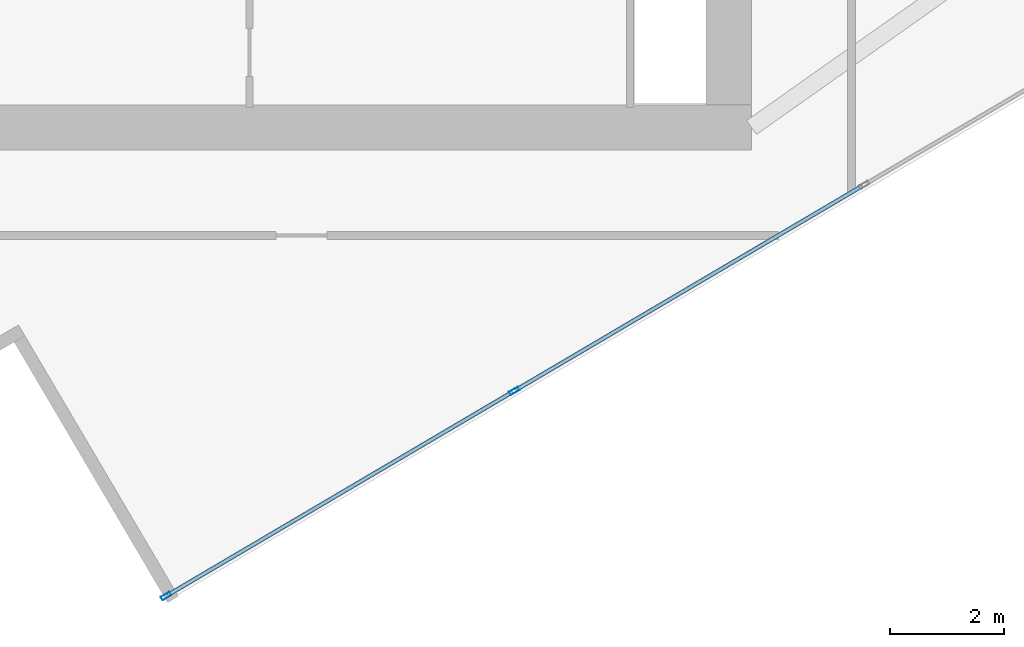
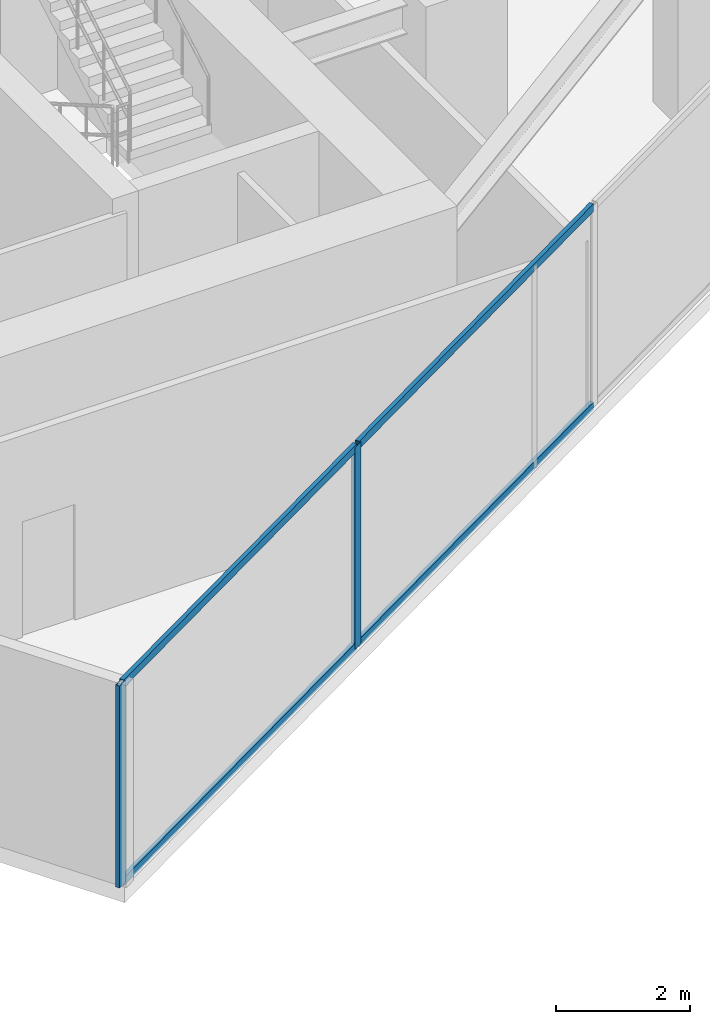
# One storey, part 3 of 20: 6 members, 1 element without a shape of its own.
"""IFC4 building model written with IfcOpenShell, lengths in metres."""

from ifc_helpers import new_model, si_unit, direction, frame, origin, origin_2d, place, context, subcontext, project, spatial, hollow_rectangle, extrude, source, transform, mapped, material, material_profile, profile_set, type_object, type_shapes, element, aggregate, save


model = new_model("IFC4")

# Units and contexts
model_context = context("Model", 3, precision=1e-05, world=origin(), true_north=direction((0.0, 1.0)))
body_context = subcontext(model_context, "Body", "Model", "MODEL_VIEW")
ifc_project = project(units=[si_unit("LENGTHUNIT", "METRE"), si_unit("AREAUNIT", "SQUARE_METRE"), si_unit("VOLUMEUNIT", "CUBIC_METRE"), si_unit("PLANEANGLEUNIT", "RADIAN"), si_unit("MASSUNIT", "GRAM", prefix="KILO")], contexts=[model_context])

# Site, building, storey
site_placement = place(None, origin())
site = spatial("IfcSite", under=ifc_project, at=site_placement, CompositionType="ELEMENT")
building_placement = place(site_placement, origin())
building = spatial("IfcBuilding", under=site, at=building_placement, Name="Krantzveldt Concourse Tower", CompositionType="ELEMENT")
storey_placement = place(building_placement, frame((0.0, 0.0, 295.050048828125)))
storey = spatial("IfcBuildingStorey", under=building, at=storey_placement, Name="L72", CompositionType="ELEMENT", Elevation=295.050048828125)

# Curtain wall, members
ifc_material = material(Name="Anodised aluminium 6063-T6", Category="aluminium")
curtain_wall_type = type_object("IfcCurtainWallType", Name="CW4", PredefinedType="USERDEFINED", material=ifc_material)
curtain_wall_placement = place(storey_placement, origin())
curtain_wall = element("IfcCurtainWall", 1, at=curtain_wall_placement, inside=storey, type_object=curtain_wall_type, Name="CW-L72-F07", ObjectType="UNITISED CURTAIN WALL", PredefinedType="USERDEFINED")
ifc_material_profile_1 = material_profile(ifc_material, hollow_rectangle(XDim=0.070068359375, YDim=0.179931640625, WallThickness=0.0048828125, at=origin_2d()), Name="Anodised aluminium 6063-T6", Category="aluminium")
ifc_profile_set_1 = profile_set([ifc_material_profile_1], Name="Anodised aluminium 6063-T6 - ALU-MULL 180x70x5")
member_type_1 = type_object("IfcMemberType", Name="CW-MUL-180", PredefinedType="MULLION", material=ifc_profile_set_1)
shared_shape_1 = source(origin(), body_context, "Body", "SweptSolid", [
    extrude(hollow_rectangle(XDim=0.070068359375, YDim=0.179931640625, WallThickness=0.0048828125, at=origin_2d()), origin(), (0.0, 0.0, 1.0), 3.669921875),
])
type_shapes(member_type_1, [shared_shape_1])
member_1_placement = place(storey_placement, frame((33.61083984375, 2.649658203125, 0.0), z_axis=(0.0, 0.0, 1.0), x_axis=(-0.507538344223, 0.861629171479, 0.0)))
member_1 = element("IfcMember", 2, at=member_1_placement, type_object=member_type_1, Name="CW-Z56 mullion 1", PredefinedType="MULLION", context=body_context, shape_type="MappedRepresentation", body=[
    mapped(shared_shape_1, transform((0.0, 0.0, 0.0), x_axis=(1.0, 0.0, 0.0), y_axis=(0.0, 1.0, 0.0), z_axis=(0.0, 0.0, 1.0), scale=1.0)),
])
member_2_placement = place(storey_placement, frame((39.741455078125, 6.2607421875, 0.0), z_axis=(0.0, 0.0, 1.0), x_axis=(-0.507538344223, 0.861629171479, 0.0)))
member_2 = element("IfcMember", 3, at=member_2_placement, type_object=member_type_1, Name="CW-Z56 mullion 2", PredefinedType="MULLION", context=body_context, shape_type="MappedRepresentation", body=[
    mapped(shared_shape_1, transform((0.0, 0.0, 0.0), x_axis=(1.0, 0.0, 0.0), y_axis=(0.0, 1.0, 0.0), z_axis=(0.0, 0.0, 1.0), scale=1.0)),
])
ifc_material_profile_2 = material_profile(ifc_material, hollow_rectangle(XDim=0.070068359375, YDim=0.139892578125, WallThickness=0.0048828125, at=origin_2d()), Name="Anodised aluminium 6063-T6", Category="aluminium")
ifc_profile_set_2 = profile_set([ifc_material_profile_2], Name="Anodised aluminium 6063-T6 - ALU-TRAN 140x70x5")
member_type_2 = type_object("IfcMemberType", Name="CW-TRN-150", PredefinedType="USERDEFINED", material=ifc_profile_set_2)
shared_shape_2 = source(origin(), body_context, "Body", "SweptSolid", [
    extrude(hollow_rectangle(XDim=0.070068359375, YDim=0.139892578125, WallThickness=0.0048828125, at=origin_2d()), origin(), (0.0, 0.0, 1.0), 7.044921875),
])
member_3_placement = place(storey_placement, frame((33.64111328125, 2.667236328125, 0.034912109375), z_axis=(0.861620465116, 0.507553124405, 0.0), x_axis=(-0.507553124405, 0.861620465116, 0.0)))
member_3 = element("IfcMember", 4, at=member_3_placement, type_object=member_type_2, Name="CW-Z56 transom 1.1", ObjectType="TRANSOM", PredefinedType="USERDEFINED", context=body_context, shape_type="MappedRepresentation", body=[
    mapped(shared_shape_2, transform((0.0, 0.0, 0.0), x_axis=(1.0, 0.0, 0.0), y_axis=(0.0, 1.0, 0.0), z_axis=(0.0, 0.0, 1.0), scale=1.0)),
])
member_4_placement = place(storey_placement, frame((33.64111328125, 2.667236328125, 3.635009765625), z_axis=(0.861620465116, 0.507553124405, 0.0), x_axis=(-0.507553124405, 0.861620465116, 0.0)))
member_4 = element("IfcMember", 5, at=member_4_placement, type_object=member_type_2, Name="CW-Z56 transom 1.2", ObjectType="TRANSOM", PredefinedType="USERDEFINED", context=body_context, shape_type="MappedRepresentation", body=[
    mapped(shared_shape_2, transform((0.0, 0.0, 0.0), x_axis=(1.0, 0.0, 0.0), y_axis=(0.0, 1.0, 0.0), z_axis=(0.0, 0.0, 1.0), scale=1.0)),
])
shared_shape_3 = source(origin(), body_context, "Body", "SweptSolid", [
    extrude(hollow_rectangle(XDim=0.070068359375, YDim=0.139892578125, WallThickness=0.0048828125, at=origin_2d()), origin(), (0.0, 0.0, 1.0), 7.079833984375),
])
type_shapes(member_type_2, [shared_shape_2, shared_shape_3])
member_5_placement = place(storey_placement, frame((39.771484375, 6.278564453125, 0.034912109375), z_axis=(0.861636215127, 0.507526386291, 0.0), x_axis=(-0.507526386291, 0.861636215127, 0.0)))
member_5 = element("IfcMember", 6, at=member_5_placement, type_object=member_type_2, Name="CW-Z56 transom 2.1", ObjectType="TRANSOM", PredefinedType="USERDEFINED", context=body_context, shape_type="MappedRepresentation", body=[
    mapped(shared_shape_3, transform((0.0, 0.0, 0.0), x_axis=(1.0, 0.0, 0.0), y_axis=(0.0, 1.0, 0.0), z_axis=(0.0, 0.0, 1.0), scale=1.0)),
])
member_6_placement = place(storey_placement, frame((39.771484375, 6.278564453125, 3.635009765625), z_axis=(0.861636215127, 0.507526386291, 0.0), x_axis=(-0.507526386291, 0.861636215127, 0.0)))
member_6 = element("IfcMember", 7, at=member_6_placement, type_object=member_type_2, Name="CW-Z56 transom 2.2", ObjectType="TRANSOM", PredefinedType="USERDEFINED", context=body_context, shape_type="MappedRepresentation", body=[
    mapped(shared_shape_3, transform((0.0, 0.0, 0.0), x_axis=(1.0, 0.0, 0.0), y_axis=(0.0, 1.0, 0.0), z_axis=(0.0, 0.0, 1.0), scale=1.0)),
])
aggregate(curtain_wall, [member_1, member_2, member_3, member_4, member_5, member_6])

save(model, "model.ifc")
